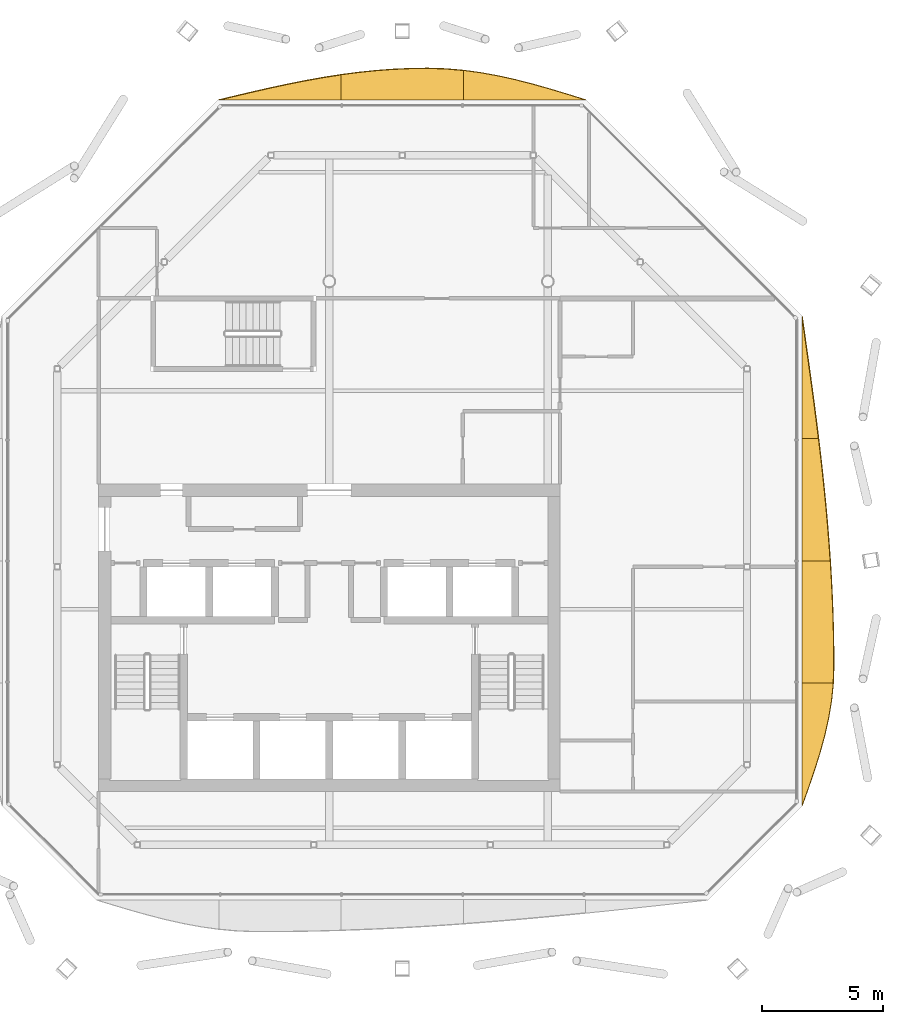
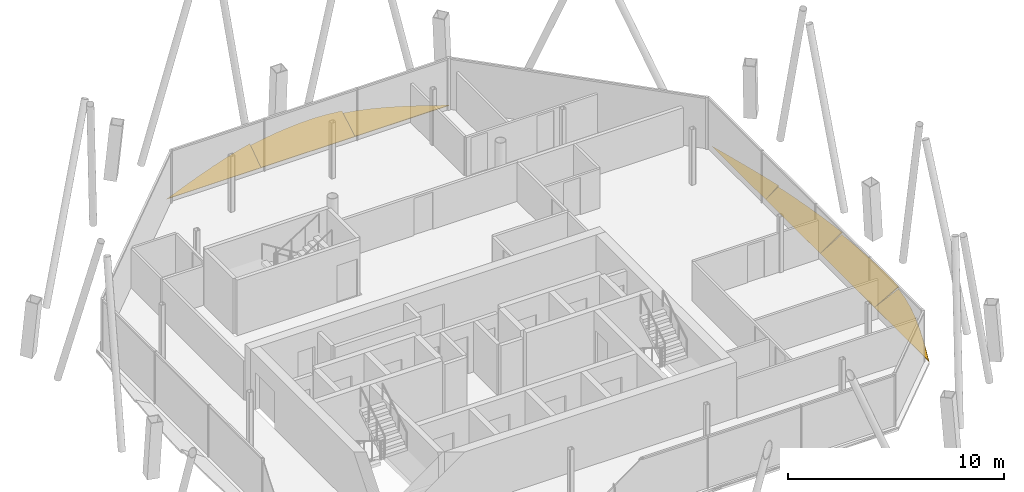
# One storey, part 14 of 14: 7 shading devices.
"""IFC4 building model written with IfcOpenShell, lengths in metres."""

from ifc_helpers import new_model, si_unit, direction, frame, origin, place, context, subcontext, project, spatial, polyline, outline, extrude, material, layer, layer_set, type_object, element, save


model = new_model("IFC4")

# Units and contexts
model_context = context("Model", 3, precision=1e-05, world=origin(), true_north=direction((0.0, 1.0)))
body_context = subcontext(model_context, "Body", "Model", "MODEL_VIEW")
ifc_project = project(units=[si_unit("LENGTHUNIT", "METRE"), si_unit("AREAUNIT", "SQUARE_METRE"), si_unit("VOLUMEUNIT", "CUBIC_METRE"), si_unit("PLANEANGLEUNIT", "RADIAN"), si_unit("MASSUNIT", "GRAM", prefix="KILO")], contexts=[model_context])

# Site, building, storey
site_placement = place(None, origin())
site = spatial("IfcSite", under=ifc_project, at=site_placement, CompositionType="ELEMENT")
building_placement = place(site_placement, origin())
building = spatial("IfcBuilding", under=site, at=building_placement, Name="Tskaro Facet Tower", CompositionType="ELEMENT")
storey_placement = place(building_placement, frame((0.0, 0.0, 268.949951171875)))
storey = spatial("IfcBuildingStorey", under=building, at=storey_placement, Name="L71", CompositionType="ELEMENT", Elevation=268.949951171875)

# Shading devices
ifc_material = material(Name="Bronze anodised aluminium 6063-T6", Category="aluminium")
ifc_layer = layer(ifc_material, 0.06005859375, Name="Bronze anodised aluminium 6063-T6")
ifc_layer_set = layer_set([ifc_layer], Name="Bronze anodised aluminium 6063-T6")
shading_device_type = type_object("IfcShadingDeviceType", Name="Bronze sun blade (FN1)", PredefinedType="USERDEFINED", material=ifc_layer_set)
shading_device_1_placement = place(storey_placement, frame((19.470703125, -12.5830078125, 0.054443359375), z_axis=(-0.422648885238, 1.7324861e-05, 0.90629350627), x_axis=(7.322333e-06, 0.99999999985, -1.5701409e-05)))
element("IfcShadingDevice", 1, at=shading_device_1_placement, inside=storey, type_object=shading_device_type, Name="Fin blade east 1", ObjectType="FIN", PredefinedType="USERDEFINED", context=body_context, shape_type="SweptSolid", body=[
    extrude(outline(polyline([(0.0, 0.0), (5.035888671119237, 0.0), (5.0358886726467516, -1.4136841171754493), (4.316650391612251, -1.333404903316599), (3.5971679660990508, -1.2012383853737252), (2.877685545652233, -1.0223321249496662), (2.1582031269178756, -0.8037803766038635), (1.4389648428176856, -0.5538720044371469), (0.7194824207455806, -0.2823415282289448), (0.0, 0.0)])), origin(), (0.0, 0.0, -1.0), 0.06005859375),
])
shading_device_2_placement = place(storey_placement, frame((19.466064453125, -7.547119140625, 0.052001953125), z_axis=(-0.50002216665, -3.886886e-06, 0.866012605476), x_axis=(-1.943529e-06, 0.999999999992, 3.366092e-06)))
element("IfcShadingDevice", 2, at=shading_device_2_placement, inside=storey, type_object=shading_device_type, Name="Fin blade east 2", ObjectType="FIN", PredefinedType="USERDEFINED", context=body_context, shape_type="SweptSolid", body=[
    extrude(outline(polyline([(0.0, 0.0), (5.0361328124619575, 2.132885209467982e-21), (5.036132812556113, -1.340230657697553), (4.316650390177317, -1.3897717849917373), (3.5971679688845546, -1.431016834934618), (2.8779296873119207, -1.4633881514945923), (2.1584472655057123, -1.4867963815371807), (1.4389648437436222, -1.5009080204793421), (0.7194824223729562, -1.506056572904117), (0.6850585942482164, -1.506056572904117), (-9.312581929362711e-11, -1.479468095345199), (0.0, 0.0)])), origin(), (0.0, 0.0, -1.0), 0.06005859375),
])
shading_device_3_placement = place(storey_placement, frame((19.461669921875, -2.510986328125, 0.04931640625), z_axis=(-0.573534484033, -1.2793364e-05, 0.819181417918), x_axis=(-7.337436e-06, 0.999999999918, 1.0480086e-05)))
element("IfcShadingDevice", 3, at=shading_device_3_placement, inside=storey, type_object=shading_device_type, Name="Fin blade east 3", ObjectType="FIN", PredefinedType="USERDEFINED", context=body_context, shape_type="SweptSolid", body=[
    extrude(outline(polyline([(0.0, 0.0), (5.035888671462888, 0.0), (5.035888671807168, -0.8300323469342819), (4.316650391522636, -0.9337963966349958), (3.5971679670371075, -1.0320002050513248), (2.8776855479323915, -1.123643794866393), (2.1582031247412776, -1.2085070923413692), (1.4389648434628455, -1.285990111086127), (0.7194824213126363, -1.3554128140391122), (-1.0843696266843407e-09, -1.4167752012003247), (0.0, 0.0)])), origin(), (0.0, 0.0, -1.0), 0.06005859375),
])
shading_device_4_placement = place(storey_placement, frame((19.45751953125, 2.52490234375, 0.0458984375), z_axis=(-0.642995271236, -7.696991e-06, 0.765870146375), x_axis=(-4.949129e-06, 0.99999999997, 5.894895e-06)))
element("IfcShadingDevice", 4, at=shading_device_4_placement, inside=storey, type_object=shading_device_type, Name="Fin blade east 4", ObjectType="FIN", PredefinedType="USERDEFINED", context=body_context, shape_type="SweptSolid", body=[
    extrude(outline(polyline([(0.0, 0.0), (5.036132812350821, -4.265770418935964e-21), (4.316650390588081, -0.1332580716320491), (3.597167969571823, -0.2656412406806744), (2.877929688256958, -0.39664856459487297), (2.158447265909083, -0.5250611795076141), (1.4389648426913901, -0.6501911628516845), (0.7194824207895466, -0.7713205933110568), (-2.582478808999424e-10, -0.8877615483185175), (0.0, 0.0)])), origin(), (0.0, 0.0, -1.0), 0.06005859375),
])
shading_device_5_placement = place(storey_placement, frame((10.56103515625, 16.470703125, 0.054443359375), z_axis=(3.164978e-06, -0.422638646883, 0.906298281004), x_axis=(-0.999999999995, -1.337642e-06, 2.868414e-06)))
element("IfcShadingDevice", 5, at=shading_device_5_placement, inside=storey, type_object=shading_device_type, Name="Fin blade north 1", ObjectType="FIN", PredefinedType="USERDEFINED", context=body_context, shape_type="SweptSolid", body=[
    extrude(outline(polyline([(0.0, 0.0), (5.0407714843497535, -1.0674248817113977e-21), (5.040771484388599, -1.3447616671736848), (4.320556640642453, -1.2367394411844368), (3.600585937489954, -1.0923459987181572), (2.8803710940111595, -0.9154013218213098), (2.1604003902004125, -0.7113774254050914), (1.4401855470535398, -0.4862622406976968), (0.7202148436323157, -0.24673728701753167), (0.0, 0.0)])), origin(), (0.0, 0.0, -1.0), 0.06005859375),
])
shading_device_6_placement = place(storey_placement, frame((5.520263671875, 16.466064453125, 0.052001953125), z_axis=(1.3516333e-05, -0.500034662306, 0.866005390462), x_axis=(-0.999999999909, -6.758635e-06, 1.1705217e-05)))
element("IfcShadingDevice", 6, at=shading_device_6_placement, inside=storey, type_object=shading_device_type, Name="Fin blade north 2", ObjectType="FIN", PredefinedType="USERDEFINED", context=body_context, shape_type="SweptSolid", body=[
    extrude(outline(polyline([(0.0, 0.0), (5.04052734328957, 0.0), (5.040527343914496, -1.202961525750705), (4.3205566412044645, -1.311795952130935), (3.600341797211306, -1.3977670812054068), (2.880371092862108, -1.459451541162655), (2.1601562477917047, -1.4957594660635023), (1.5222167981927315, -1.5060565746160484), (1.440185546992563, -1.5057230687437602), (0.7199707033316499, -1.4783782289063054), (-1.140107040490491e-09, -1.407275099238388), (0.0, 0.0)])), origin(), (0.0, 0.0, -1.0), 0.06005859375),
])
shading_device_7_placement = place(storey_placement, frame((0.479736328125, 16.461669921875, 0.04931640625), z_axis=(-2.133898e-06, -0.573474315771, 0.819223540401), x_axis=(-0.999999999998, 1.223736e-06, -1.74814e-06)))
element("IfcShadingDevice", 7, at=shading_device_7_placement, inside=storey, type_object=shading_device_type, Name="Fin blade north 3", ObjectType="FIN", PredefinedType="USERDEFINED", context=body_context, shape_type="SweptSolid", body=[
    extrude(outline(polyline([(0.0, 0.0), (5.040771484363524, 1.0674248817113977e-21), (4.320556640963139, -0.20968816792072337), (3.60058593729137, -0.41579620248313653), (2.880371093805292, -0.6147839540589392), (2.1604003905597575, -0.8028712835426526), (1.4401855470302298, -0.9771380721867671), (0.7202148434422952, -1.134344200758015), (-3.026730953611706e-12, -1.2716295478781812), (0.0, 0.0)])), origin(), (0.0, 0.0, -1.0), 0.06005859375),
])

save(model, "model.ifc")
